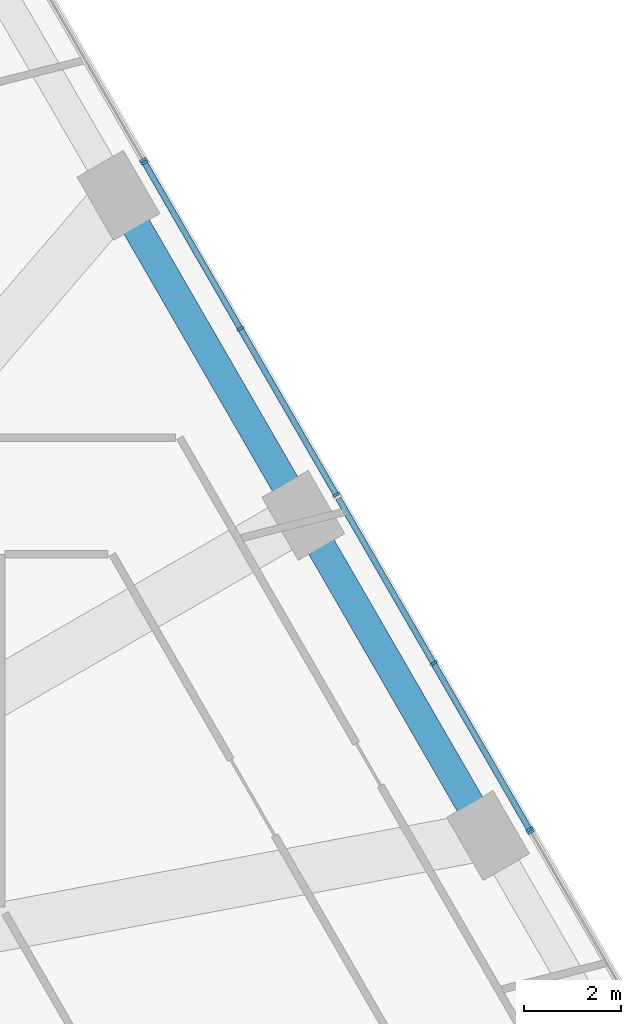
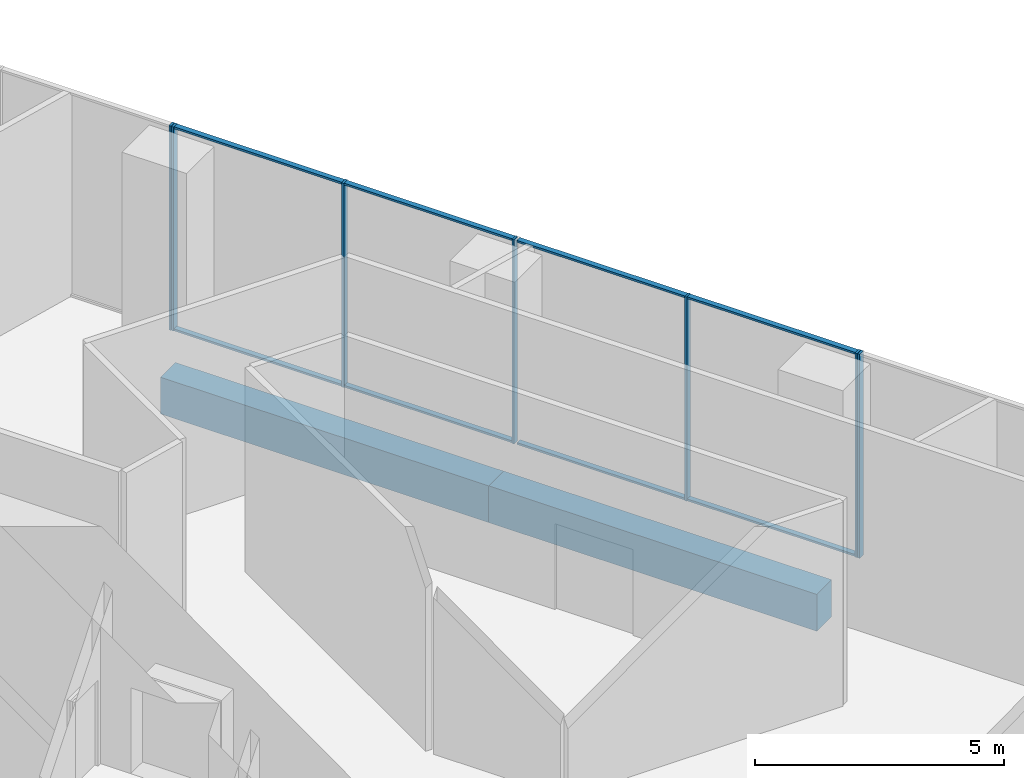
# One storey, part 14 of 32: 15 members, 2 beams, 4 elements without a shape of their own.
"""IFC4 building model written with IfcOpenShell, lengths in metres."""

from ifc_helpers import new_model, si_unit, direction, frame, origin, origin_2d, place, context, subcontext, project, spatial, rectangle, extrude, material, layer, layer_set, material_profile, profile_set, type_object, element, aggregate, save


model = new_model("IFC4")

# Units and contexts
model_context = context("Model", 3, precision=1e-05, world=origin(), true_north=direction((0.0, 1.0)))
body_context = subcontext(model_context, "Body", "Model", "MODEL_VIEW")
ifc_project = project(units=[si_unit("LENGTHUNIT", "METRE"), si_unit("AREAUNIT", "SQUARE_METRE"), si_unit("VOLUMEUNIT", "CUBIC_METRE"), si_unit("PLANEANGLEUNIT", "RADIAN"), si_unit("MASSUNIT", "GRAM", prefix="KILO")], contexts=[model_context])

# Site, building, storey
site_placement = place(None, origin())
site = spatial("IfcSite", under=ifc_project, at=site_placement, CompositionType="ELEMENT")
building_placement = place(site_placement, origin())
building = spatial("IfcBuilding", under=site, at=building_placement, Name="Triada Interchange Tower", CompositionType="ELEMENT")
storey_placement = place(building_placement, frame((0.0, 0.0, 14.5)))
storey = spatial("IfcBuildingStorey", under=building, at=storey_placement, Name="L02", CompositionType="ELEMENT", Elevation=14.5)

# Curtain wall, member
ifc_material_1 = material(Name="Aluminium framed glazing", Category="aluminium")
ifc_layer = layer(ifc_material_1, 0.199951171875)
ifc_layer_set = layer_set([ifc_layer], Name="Curtain wall Retail shopfront")
curtain_wall_type = type_object("IfcCurtainWallType", Name="Curtain wall Retail shopfront", PredefinedType="NOTDEFINED", material=ifc_layer_set)
curtain_wall_1_placement = place(storey_placement, origin())
curtain_wall_1 = element("IfcCurtainWall", 1, at=curtain_wall_1_placement, inside=storey, type_object=curtain_wall_type, Name="Retail shopfront CW015 L02", PredefinedType="NOTDEFINED")
ifc_material_2 = material(Name="Aluminium", Category="aluminium")
ifc_material_profile_1 = material_profile(ifc_material_2, rectangle(XDim=0.14990234375, YDim=0.050048828125, at=origin_2d()), Name="Aluminium mullion")
ifc_profile_set_1 = profile_set([ifc_material_profile_1], Name="Aluminium")
member_type_1 = type_object("IfcMemberType", Name="Mullion Retail shopfront 150x50", PredefinedType="MULLION", material=ifc_profile_set_1)
member_1_placement = place(storey_placement, frame((23.387451171875, 4.292236328125, 0.0), z_axis=(0.0, 0.0, 1.0), x_axis=(-0.866055473648, -0.499947913852, 0.0)))
member_1 = element("IfcMember", 2, at=member_1_placement, type_object=member_type_1, Name="CW015 mullion 3", PredefinedType="MULLION", context=body_context, shape_type="SweptSolid", body=[
    extrude(rectangle(XDim=0.14990234375, YDim=0.050048828125, at=origin_2d()), origin(), (0.0, 0.0, 1.0), 5.0),
])
aggregate(curtain_wall_1, [member_1])

# Curtain wall, members
curtain_wall_2_placement = place(storey_placement, origin())
curtain_wall_2 = element("IfcCurtainWall", 3, at=curtain_wall_2_placement, inside=storey, type_object=curtain_wall_type, Name="Retail shopfront CW016 L02", PredefinedType="NOTDEFINED")
member_2_placement = place(storey_placement, frame((23.3564453125, 4.3447265625, 0.0), z_axis=(0.0, 0.0, 1.0), x_axis=(-0.866086968603, -0.499893351442, 0.0)))
member_2 = element("IfcMember", 4, at=member_2_placement, type_object=member_type_1, Name="CW016 mullion 1", PredefinedType="MULLION", context=body_context, shape_type="SweptSolid", body=[
    extrude(rectangle(XDim=0.14990234375, YDim=0.050048828125, at=origin_2d()), origin(), (0.0, 0.0, 1.0), 5.0),
])
member_3_placement = place(storey_placement, frame((21.385498046875, 7.759521484375, 0.0), z_axis=(0.0, 0.0, 1.0), x_axis=(-0.866086968603, -0.499893351442, 0.0)))
member_3 = element("IfcMember", 5, at=member_3_placement, type_object=member_type_1, Name="CW016 mullion 2", PredefinedType="MULLION", context=body_context, shape_type="SweptSolid", body=[
    extrude(rectangle(XDim=0.14990234375, YDim=0.050048828125, at=origin_2d()), origin(), (0.0, 0.0, 1.0), 5.0),
])

curtain_wall_3_placement = place(storey_placement, origin())
curtain_wall_3 = element("IfcCurtainWall", 6, at=curtain_wall_3_placement, inside=storey, type_object=curtain_wall_type, Name="Retail shopfront CW017 L02", PredefinedType="NOTDEFINED")
member_4_placement = place(storey_placement, frame((19.383544921875, 11.2255859375, 0.0), z_axis=(0.0, 0.0, 1.0), x_axis=(-0.866086968603, -0.499893351442, 0.0)))
member_4 = element("IfcMember", 7, at=member_4_placement, type_object=member_type_1, Name="CW017 mullion 1", PredefinedType="MULLION", context=body_context, shape_type="SweptSolid", body=[
    extrude(rectangle(XDim=0.14990234375, YDim=0.050048828125, at=origin_2d()), origin(), (0.0, 0.0, 1.0), 5.0),
])
member_5_placement = place(storey_placement, frame((17.41259765625, 14.640380859375, 0.0), z_axis=(0.0, 0.0, 1.0), x_axis=(-0.866086968603, -0.499893351442, 0.0)))
member_5 = element("IfcMember", 8, at=member_5_placement, type_object=member_type_1, Name="CW017 mullion 2", PredefinedType="MULLION", context=body_context, shape_type="SweptSolid", body=[
    extrude(rectangle(XDim=0.14990234375, YDim=0.050048828125, at=origin_2d()), origin(), (0.0, 0.0, 1.0), 5.0),
])
member_6_placement = place(storey_placement, frame((15.44140625, 18.055419921875, 0.0), z_axis=(0.0, 0.0, 1.0), x_axis=(-0.866086968603, -0.499893351442, 0.0)))
member_6 = element("IfcMember", 9, at=member_6_placement, type_object=member_type_1, Name="CW017 mullion 3", PredefinedType="MULLION", context=body_context, shape_type="SweptSolid", body=[
    extrude(rectangle(XDim=0.14990234375, YDim=0.050048828125, at=origin_2d()), origin(), (0.0, 0.0, 1.0), 5.0),
])

# Curtain wall, member
curtain_wall_4_placement = place(storey_placement, origin())
curtain_wall_4 = element("IfcCurtainWall", 10, at=curtain_wall_4_placement, inside=storey, type_object=curtain_wall_type, Name="Retail shopfront CW018 L02", PredefinedType="NOTDEFINED")
member_7_placement = place(storey_placement, frame((15.410400390625, 18.107666015625, 0.0), z_axis=(0.0, 0.0, 1.0), x_axis=(-0.866055473648, -0.499947913852, 0.0)))
member_7 = element("IfcMember", 11, at=member_7_placement, type_object=member_type_1, Name="CW018 mullion 1", PredefinedType="MULLION", context=body_context, shape_type="SweptSolid", body=[
    extrude(rectangle(XDim=0.14990234375, YDim=0.050048828125, at=origin_2d()), origin(), (0.0, 0.0, 1.0), 5.0),
])
aggregate(curtain_wall_4, [member_7])

# Beams
ifc_material_3 = material(Name="Concrete C50/60", Category="concrete")
ifc_material_profile_2 = material_profile(ifc_material_3, rectangle(XDim=0.60009765625, YDim=0.89990234375, at=origin_2d()), Name="RC 600x900")
ifc_profile_set_2 = profile_set([ifc_material_profile_2], Name="Concrete C50/60")
beam_type = type_object("IfcBeamType", Name="Spandrel beam P RC 600x900", PredefinedType="BEAM", material=ifc_profile_set_2)
for number, where, z_axis, x_axis, name in (
    (12, (22.506103515625, 4.218994140625, -0.85009765625), (-0.500046891162, 0.865998329467, 0.0), (-0.865998329467, -0.500046891162, 0.0), "Spandrel beam EP24 L02"),
    (13, (18.7060546875, 10.800048828125, -0.85009765625), (-0.500046891162, 0.865998329467, 0.0), (-0.865998329467, -0.500046891162, 0.0), "Spandrel beam EP25 L02"),
):
    element("IfcBeam", number, at=place(storey_placement, frame(where, z_axis=z_axis, x_axis=x_axis)), inside=storey, type_object=beam_type, Name=name, PredefinedType="BEAM", context=body_context, shape_type="SweptSolid", body=[
        extrude(rectangle(XDim=0.60009765625, YDim=0.89990234375, at=origin_2d()), origin(), (0.0, 0.0, 1.0), 7.599365234375),
    ])

# Member
ifc_material_profile_3 = material_profile(ifc_material_2, rectangle(XDim=0.1201171875, YDim=0.050048828125, at=origin_2d()), Name="Aluminium transom")
ifc_profile_set_3 = profile_set([ifc_material_profile_3], Name="Aluminium")
member_type_2 = type_object("IfcMemberType", Name="Transom Retail shopfront 120x50", PredefinedType="USERDEFINED", material=ifc_profile_set_3)
member_8_placement = place(storey_placement, frame((23.343994140625, 4.3662109375, 0.02490234375), z_axis=(-0.499896178229, 0.866085337015, 0.0), x_axis=(-0.866085337015, -0.499896178229, 0.0)))
member_8 = element("IfcMember", 14, at=member_8_placement, type_object=member_type_2, Name="CW016 transom 1.1", ObjectType="TRANSOM", PredefinedType="USERDEFINED", context=body_context, shape_type="SweptSolid", body=[
    extrude(rectangle(XDim=0.1201171875, YDim=0.050048828125, at=origin_2d()), origin(), (0.0, 0.0, 1.0), 3.892822265625),
])

member_9_placement = place(storey_placement, frame((23.343994140625, 4.3662109375, 4.97509765625), z_axis=(-0.499896178229, 0.866085337015, 0.0), x_axis=(-0.866085337015, -0.499896178229, 0.0)))
member_9 = element("IfcMember", 15, at=member_9_placement, type_object=member_type_2, Name="CW016 transom 1.2", ObjectType="TRANSOM", PredefinedType="USERDEFINED", context=body_context, shape_type="SweptSolid", body=[
    extrude(rectangle(XDim=0.1201171875, YDim=0.050048828125, at=origin_2d()), origin(), (0.0, 0.0, 1.0), 3.892822265625),
])

member_10_placement = place(storey_placement, frame((21.373046875, 7.78125, 0.02490234375), z_axis=(-0.499923331814, 0.866069663658, 0.0), x_axis=(-0.866069663658, -0.499923331814, 0.0)))
member_10 = element("IfcMember", 16, at=member_10_placement, type_object=member_type_2, Name="CW016 transom 2.1", ObjectType="TRANSOM", PredefinedType="USERDEFINED", context=body_context, shape_type="SweptSolid", body=[
    extrude(rectangle(XDim=0.1201171875, YDim=0.050048828125, at=origin_2d()), origin(), (0.0, 0.0, 1.0), 3.892578125),
])

member_11_placement = place(storey_placement, frame((21.373046875, 7.78125, 4.97509765625), z_axis=(-0.499923331814, 0.866069663658, 0.0), x_axis=(-0.866069663658, -0.499923331814, 0.0)))
member_11 = element("IfcMember", 17, at=member_11_placement, type_object=member_type_2, Name="CW016 transom 2.2", ObjectType="TRANSOM", PredefinedType="USERDEFINED", context=body_context, shape_type="SweptSolid", body=[
    extrude(rectangle(XDim=0.1201171875, YDim=0.050048828125, at=origin_2d()), origin(), (0.0, 0.0, 1.0), 3.892578125),
])

aggregate(curtain_wall_2, [member_2, member_3, member_8, member_9, member_10, member_11])

member_12_placement = place(storey_placement, frame((19.37109375, 11.247314453125, 0.02490234375), z_axis=(-0.499896178229, 0.866085337015, 0.0), x_axis=(-0.866085337015, -0.499896178229, 0.0)))
member_12 = element("IfcMember", 18, at=member_12_placement, type_object=member_type_2, Name="CW017 transom 1.1", ObjectType="TRANSOM", PredefinedType="USERDEFINED", context=body_context, shape_type="SweptSolid", body=[
    extrude(rectangle(XDim=0.1201171875, YDim=0.050048828125, at=origin_2d()), origin(), (0.0, 0.0, 1.0), 3.892822265625),
])

member_13_placement = place(storey_placement, frame((19.37109375, 11.247314453125, 4.97509765625), z_axis=(-0.499896178229, 0.866085337015, 0.0), x_axis=(-0.866085337015, -0.499896178229, 0.0)))
member_13 = element("IfcMember", 19, at=member_13_placement, type_object=member_type_2, Name="CW017 transom 1.2", ObjectType="TRANSOM", PredefinedType="USERDEFINED", context=body_context, shape_type="SweptSolid", body=[
    extrude(rectangle(XDim=0.1201171875, YDim=0.050048828125, at=origin_2d()), origin(), (0.0, 0.0, 1.0), 3.892822265625),
])

member_14_placement = place(storey_placement, frame((17.39990234375, 14.662109375, 0.02490234375), z_axis=(-0.499849133735, 0.866112488944, 0.0), x_axis=(-0.866112488944, -0.499849133735, 0.0)))
member_14 = element("IfcMember", 20, at=member_14_placement, type_object=member_type_2, Name="CW017 transom 2.1", ObjectType="TRANSOM", PredefinedType="USERDEFINED", context=body_context, shape_type="SweptSolid", body=[
    extrude(rectangle(XDim=0.1201171875, YDim=0.050048828125, at=origin_2d()), origin(), (0.0, 0.0, 1.0), 3.892822265625),
])

member_15_placement = place(storey_placement, frame((17.39990234375, 14.662109375, 4.97509765625), z_axis=(-0.499849133735, 0.866112488944, 0.0), x_axis=(-0.866112488944, -0.499849133735, 0.0)))
member_15 = element("IfcMember", 21, at=member_15_placement, type_object=member_type_2, Name="CW017 transom 2.2", ObjectType="TRANSOM", PredefinedType="USERDEFINED", context=body_context, shape_type="SweptSolid", body=[
    extrude(rectangle(XDim=0.1201171875, YDim=0.050048828125, at=origin_2d()), origin(), (0.0, 0.0, 1.0), 3.892822265625),
])

aggregate(curtain_wall_3, [member_4, member_5, member_6, member_12, member_13, member_14, member_15])

save(model, "model.ifc")
